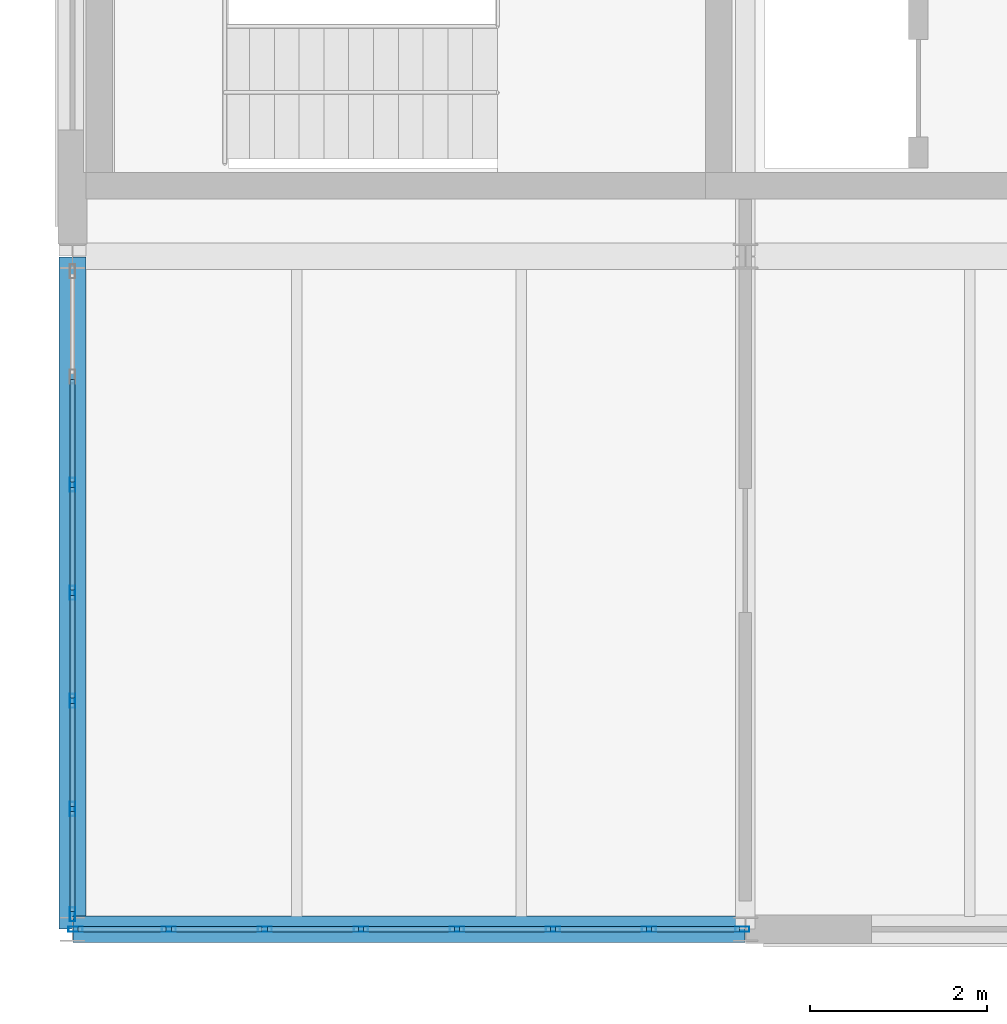
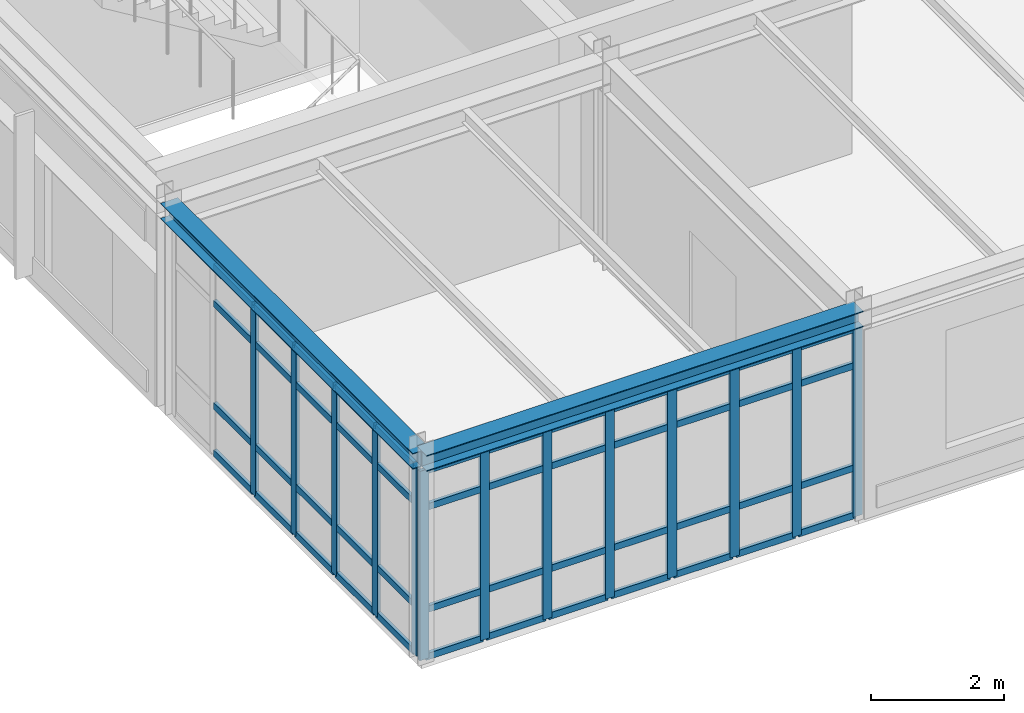
# One storey, part 23 of 165: 61 members, 2 beams, 2 elements without a shape of their own.
"""IFC4 building model written with IfcOpenShell, lengths in metres."""

import ifcopenshell
import ifcopenshell.guid

model = None  # the IFC model being written
_history = None  # IfcOwnerHistory: only IFC2X3 demands one
_inside = {}  # id of a spatial element -> (the spatial element, [elements in it])
_under = {}  # id of a project, library or spatial element -> (it, [spatial elements below it])
_declared = {}  # id of a project -> (the project, [libraries it declares])
_typed = {}  # id of a type object -> (the type object, [elements of that type])
_made_of = {}  # id of a material, layer set ... -> (it, [elements and type objects made of it])


def new_model(schema):
    """Start an empty IFC model of exactly this schema.

    Asked for "IFC4X3", IfcOpenShell would pick the latest addendum, in which some entities
    have other attributes; the version numbers below select the first issue.
    IFC2X3 requires an IfcOwnerHistory on every rooted entity: one is made here for all.
    """
    global model, _history
    if schema == "IFC4X3":
        model = ifcopenshell.file(schema_version=(4, 3, 0, 0))
    else:
        model = ifcopenshell.file(schema=schema)
    _inside.clear()
    _under.clear()
    _declared.clear()
    _typed.clear()
    _made_of.clear()
    _history = None
    if model.schema == "IFC2X3":
        org = make("IfcOrganization", Name="unknown")
        user = make(
            "IfcPersonAndOrganization",
            ThePerson=make("IfcPerson", FamilyName="unknown"),
            TheOrganization=org,
        )
        app = make(
            "IfcApplication",
            ApplicationDeveloper=org,
            Version="unknown",
            ApplicationFullName="unknown",
            ApplicationIdentifier="unknown",
        )
        _history = make(
            "IfcOwnerHistory",
            OwningUser=user,
            OwningApplication=app,
            ChangeAction="ADDED",
            CreationDate=0,
        )
    return model


def make(cls, **values):
    """One entity of the class cls with the attributes given. An attribute that is None is left unset."""
    return model.create_entity(
        cls, **{name: value for name, value in values.items() if value is not None}
    )


def rooted(cls, **values):
    """An entity with a GlobalId (a new one), such as an element, a storey or a relation."""
    return make(cls, GlobalId=ifcopenshell.guid.new(), OwnerHistory=_history, **values)


def si_unit(unit_type, name, prefix=None):
    """IfcSIUnit, for example si_unit("LENGTHUNIT", "METRE", prefix="MILLI")."""
    return make("IfcSIUnit", UnitType=unit_type, Prefix=prefix, Name=name)


def assignment(units):
    """IfcUnitAssignment: the units of a project."""
    return None if units is None else make("IfcUnitAssignment", Units=units)


def point(xyz):
    """IfcCartesianPoint."""
    return None if xyz is None else make("IfcCartesianPoint", Coordinates=xyz)


def direction(xyz):
    """IfcDirection."""
    return None if xyz is None else make("IfcDirection", DirectionRatios=xyz)


def frame(location, z_axis=None, x_axis=None):
    """IfcAxis2Placement3D, a coordinate frame: its origin and axes. An axis left out is left unset."""
    return make(
        "IfcAxis2Placement3D",
        Location=point(location),
        Axis=direction(z_axis),
        RefDirection=direction(x_axis),
    )


def frame_2d(location, x_axis=None):
    """IfcAxis2Placement2D, a coordinate frame in the plane: its origin and x axis."""
    return make(
        "IfcAxis2Placement2D", Location=point(location), RefDirection=direction(x_axis)
    )


def origin():
    """The frame at (0, 0, 0) with its axes left unset."""
    return frame((0.0, 0.0, 0.0))


def origin_2d():
    """The frame at (0, 0) in the plane with its x axis left unset."""
    return frame_2d((0.0, 0.0))


def place(relative_to, where):
    """IfcLocalPlacement: puts the frame where relative to a parent placement (None: the world)."""
    return make(
        "IfcLocalPlacement", PlacementRelTo=relative_to, RelativePlacement=where
    )


def context(
    kind, dimensions, precision=None, world=None, true_north=None, identifier=None
):
    """IfcGeometricRepresentationContext, for example the 3D "Model" context."""
    return make(
        "IfcGeometricRepresentationContext",
        ContextIdentifier=identifier,
        ContextType=kind,
        CoordinateSpaceDimension=dimensions,
        Precision=precision,
        WorldCoordinateSystem=world,
        TrueNorth=true_north,
    )


def subcontext(parent, identifier, kind, view, scale=None):
    """IfcGeometricRepresentationSubContext, for example "Body" below "Model"."""
    return make(
        "IfcGeometricRepresentationSubContext",
        ContextIdentifier=identifier,
        ContextType=kind,
        ParentContext=parent,
        TargetScale=scale,
        TargetView=view,
    )


def project(units=None, contexts=None):
    """IfcProject with its units and contexts."""
    return rooted(
        "IfcProject",
        Name="project",
        RepresentationContexts=contexts,
        UnitsInContext=assignment(units),
    )


def spatial(cls, under=None, at=None, **own):
    """A site, building, storey or space (cls), placed at a placement, below another one or the project."""
    s = rooted(cls, ObjectPlacement=at, **own)
    if under is not None:
        _under.setdefault(under.id(), (under, []))[1].append(s)
    return s


def profile(cls, at=None, kind="AREA", **sizes):
    """A parametric profile (cls). Its sizes go by their IFC names, for example OverallWidth=200.0."""
    return make(cls, ProfileType=kind, Position=at, **sizes)


def hollow_rectangle(**sizes):
    """IfcRectangleHollowProfileDef."""
    return profile("IfcRectangleHollowProfileDef", **sizes)


def i_section(**sizes):
    """IfcIShapeProfileDef."""
    return profile("IfcIShapeProfileDef", **sizes)


def extrude(swept, where, along, depth):
    """IfcExtrudedAreaSolid: the profile swept, set in the frame where, extruded along a direction by depth."""
    return make(
        "IfcExtrudedAreaSolid",
        SweptArea=swept,
        Position=where,
        ExtrudedDirection=direction(along),
        Depth=depth,
    )


def shape(context_of_items, identifier, shape_type, items):
    """IfcShapeRepresentation: the items that make up one representation, for example the "Body"."""
    return make(
        "IfcShapeRepresentation",
        ContextOfItems=context_of_items,
        RepresentationIdentifier=identifier,
        RepresentationType=shape_type,
        Items=items,
    )


def material(Name=None, Category=None):
    """IfcMaterial."""
    return make("IfcMaterial", Name=Name, Category=Category)


def layer(
    of_material, thickness, ventilated=None, Name=None, Category=None, Priority=None
):
    """IfcMaterialLayer: one layer of a wall or slab, of a material (None: an air gap)."""
    return make(
        "IfcMaterialLayer",
        Material=of_material,
        LayerThickness=thickness,
        IsVentilated=ventilated,
        Name=Name,
        Category=Category,
        Priority=Priority,
    )


def layer_set(layers, Name=None):
    """IfcMaterialLayerSet."""
    return make("IfcMaterialLayerSet", MaterialLayers=layers, LayerSetName=Name)


def material_profile(
    of_material, cross_section, Name=None, Category=None, Priority=None
):
    """IfcMaterialProfile: a cross section and its material."""
    return make(
        "IfcMaterialProfile",
        Name=Name,
        Material=of_material,
        Profile=cross_section,
        Priority=Priority,
        Category=Category,
    )


def profile_set(profiles, Name=None, composite=None):
    """IfcMaterialProfileSet."""
    return make(
        "IfcMaterialProfileSet",
        Name=Name,
        MaterialProfiles=profiles,
        CompositeProfile=composite,
    )


def made_of(thing, what):
    """Note that an element or type object is made of a material, layer set ...; save() writes the relation."""
    if what is not None:
        _made_of.setdefault(what.id(), (what, []))[1].append(thing)
    return thing


def type_object(cls, material=None, **own):
    """A type object (cls), such as IfcWallType, which elements share."""
    return made_of(rooted(cls, **own), material)


def element(
    cls,
    number,
    at=None,
    inside=None,
    cuts=None,
    type_object=None,
    material=None,
    context=None,
    identifier="Body",
    shape_type=None,
    held_by="IfcProductDefinitionShape",
    body=None,
    shapes=None,
    **own,
):
    """One element of the class cls, such as IfcWall. Its Tag is "e" and its number.

    at: its placement. inside: the storey or other place that contains it. cuts: it is an
    opening in that element (IfcRelVoidsElement). A single representation is given by context,
    identifier, shape_type and body (its items); several are given by shapes. held_by: the class
    of the entity that holds the representations. save() writes the other relations.
    """
    e = rooted(cls, Tag="e%d" % number, ObjectPlacement=at, **own)
    if body is not None:
        shapes = [shape(context, identifier, shape_type, body)]
    if shapes is not None:
        e.Representation = make(held_by, Representations=shapes)
    if inside is not None:
        _inside.setdefault(inside.id(), (inside, []))[1].append(e)
    if cuts is not None:
        rooted(
            "IfcRelVoidsElement", RelatingBuildingElement=cuts, RelatedOpeningElement=e
        )
    if type_object is not None:
        _typed.setdefault(type_object.id(), (type_object, []))[1].append(e)
    return made_of(e, material)


def aggregate(whole, parts):
    """IfcRelAggregates: a whole, such as a stair, and the parts it consists of."""
    return rooted("IfcRelAggregates", RelatingObject=whole, RelatedObjects=parts)


def save(model, path):
    """Write the relations noted so far, then the file.

    IfcRelAggregates (storeys below a building ...), IfcRelContainedInSpatialStructure (elements
    in a storey), IfcRelDefinesByType, IfcRelAssociatesMaterial and IfcRelDeclares: one each for
    every whole, place, type object, material and project.
    """
    for whole, parts in _under.values():
        aggregate(whole, parts)
    for where, things in _inside.values():
        rooted(
            "IfcRelContainedInSpatialStructure",
            RelatedElements=things,
            RelatingStructure=where,
        )
    for kind, things in _typed.values():
        rooted("IfcRelDefinesByType", RelatedObjects=things, RelatingType=kind)
    for what, things in _made_of.values():
        rooted("IfcRelAssociatesMaterial", RelatedObjects=things, RelatingMaterial=what)
    for by, libraries in _declared.values():
        rooted("IfcRelDeclares", RelatingContext=by, RelatedDefinitions=libraries)
    model.write(path)


model = new_model("IFC4")

# Units and contexts
model_context = context("Model", 3, precision=1e-05, world=origin(), true_north=direction((0.0, 1.0)))
body_context = subcontext(model_context, "Body", "Model", "MODEL_VIEW")
ifc_project = project(units=[si_unit("LENGTHUNIT", "METRE"), si_unit("AREAUNIT", "SQUARE_METRE"), si_unit("VOLUMEUNIT", "CUBIC_METRE"), si_unit("PLANEANGLEUNIT", "RADIAN"), si_unit("MASSUNIT", "GRAM", prefix="KILO")], contexts=[model_context])

# Site, building, storey
site_placement = place(None, origin())
site = spatial("IfcSite", under=ifc_project, at=site_placement, CompositionType="ELEMENT")
building_placement = place(site_placement, origin())
building = spatial("IfcBuilding", under=site, at=building_placement, Name="Montecoro Central Library", CompositionType="ELEMENT")
storey_placement = place(building_placement, frame((0.0, 0.0, 5.10009765625)))
storey = spatial("IfcBuildingStorey", under=building, at=storey_placement, Name="L01", CompositionType="ELEMENT", Elevation=5.10009765625)

# Beams
ifc_material_1 = material(Name="Steel S355", Category="steel")
ifc_material_profile_1 = material_profile(ifc_material_1, i_section(OverallWidth=0.300048828125, OverallDepth=0.2900390625, WebThickness=0.008544921875, FlangeThickness=0.013916015625, at=origin_2d()), Name="HEA 300")
ifc_profile_set_1 = profile_set([ifc_material_profile_1], Name="Steel S355")
beam_type = type_object("IfcBeamType", Name="BM-SP-HEA300", PredefinedType="SPANDREL", material=ifc_profile_set_1)
for number, where, z_axis, x_axis, name in (
    (1, (5.0048828125, 5.0, 3.679931640625), (1.0, 0.0, 0.0), (0.0, 1.0, 0.0), "V3-L01-BX-12-A"),
    (2, (5.0, 5.0048828125, 3.679931640625), (0.0, 1.0, 0.0), (-1.0, 0.0, 0.0), "V3-L01-BY-1-AB"),
):
    element("IfcBeam", number, at=place(storey_placement, frame(where, z_axis=z_axis, x_axis=x_axis)), inside=storey, type_object=beam_type, Name=name, PredefinedType="SPANDREL", context=body_context, shape_type="SweptSolid", body=[
        extrude(i_section(OverallWidth=0.300048828125, OverallDepth=0.2900390625, WebThickness=0.008544921875, FlangeThickness=0.013916015625, at=origin_2d()), origin(), (0.0, 0.0, 1.0), 7.590087890625),
    ])

# Curtain wall, members
ifc_material_2 = material(Name="Bronze-anodised aluminium and low-E glazing", Category="aluminium")
ifc_layer_1 = layer(ifc_material_2, 0.159912109375)
ifc_layer_set_1 = layer_set([ifc_layer_1], Name="Bronze-anodised aluminium and low-E glazing")
curtain_wall_type_1 = type_object("IfcCurtainWallType", Name="CWT-029", PredefinedType="NOTDEFINED", material=ifc_layer_set_1)
curtain_wall_1_placement = place(storey_placement, origin())
curtain_wall_1 = element("IfcCurtainWall", 3, at=curtain_wall_1_placement, inside=storey, type_object=curtain_wall_type_1, Name="V3-L01-CW-S0", PredefinedType="NOTDEFINED")
ifc_material_3 = material(Name="Bronze-anodised aluminium", Category="aluminium")
ifc_material_profile_2 = material_profile(ifc_material_3, hollow_rectangle(XDim=0.06005859375, YDim=0.159912109375, WallThickness=0.00390625, at=origin_2d()), Name="CWM 160x60x4.0")
ifc_profile_set_2 = profile_set([ifc_material_profile_2], Name="Bronze-anodised aluminium")
member_type_1 = type_object("IfcMemberType", Name="CWM-BRZ-60", PredefinedType="MULLION", material=ifc_profile_set_2)
member_1_placement = place(storey_placement, frame((5.033935546875, 5.0, 0.0), z_axis=(0.0, 0.0, 1.0), x_axis=(0.0, 1.0, 0.0)))
member_1 = element("IfcMember", 4, at=member_1_placement, type_object=member_type_1, Name="CW-029 mullion 1", PredefinedType="MULLION", context=body_context, shape_type="SweptSolid", body=[
    extrude(hollow_rectangle(XDim=0.06005859375, YDim=0.159912109375, WallThickness=0.00390625, at=origin_2d()), origin(), (0.0, 0.0, 1.0), 3.47998046875),
])
member_2_placement = place(storey_placement, frame((6.088623046875, 5.0, 0.0), z_axis=(0.0, 0.0, 1.0), x_axis=(0.0, 1.0, 0.0)))
member_2 = element("IfcMember", 5, at=member_2_placement, type_object=member_type_1, Name="CW-029 mullion 2", PredefinedType="MULLION", context=body_context, shape_type="SweptSolid", body=[
    extrude(hollow_rectangle(XDim=0.06005859375, YDim=0.159912109375, WallThickness=0.00390625, at=origin_2d()), origin(), (0.0, 0.0, 1.0), 3.47998046875),
])
member_3_placement = place(storey_placement, frame((7.173095703125, 5.0, 0.0), z_axis=(0.0, 0.0, 1.0), x_axis=(0.0, 1.0, 0.0)))
member_3 = element("IfcMember", 6, at=member_3_placement, type_object=member_type_1, Name="CW-029 mullion 3", PredefinedType="MULLION", context=body_context, shape_type="SweptSolid", body=[
    extrude(hollow_rectangle(XDim=0.06005859375, YDim=0.159912109375, WallThickness=0.00390625, at=origin_2d()), origin(), (0.0, 0.0, 1.0), 3.47998046875),
])
member_4_placement = place(storey_placement, frame((8.2578125, 5.0, 0.0), z_axis=(0.0, 0.0, 1.0), x_axis=(0.0, 1.0, 0.0)))
member_4 = element("IfcMember", 7, at=member_4_placement, type_object=member_type_1, Name="CW-029 mullion 4", PredefinedType="MULLION", context=body_context, shape_type="SweptSolid", body=[
    extrude(hollow_rectangle(XDim=0.06005859375, YDim=0.159912109375, WallThickness=0.00390625, at=origin_2d()), origin(), (0.0, 0.0, 1.0), 3.47998046875),
])
member_5_placement = place(storey_placement, frame((9.34228515625, 5.0, 0.0), z_axis=(0.0, 0.0, 1.0), x_axis=(0.0, 1.0, 0.0)))
member_5 = element("IfcMember", 8, at=member_5_placement, type_object=member_type_1, Name="CW-029 mullion 5", PredefinedType="MULLION", context=body_context, shape_type="SweptSolid", body=[
    extrude(hollow_rectangle(XDim=0.06005859375, YDim=0.159912109375, WallThickness=0.00390625, at=origin_2d()), origin(), (0.0, 0.0, 1.0), 3.47998046875),
])
member_6_placement = place(storey_placement, frame((10.4267578125, 5.0, 0.0), z_axis=(0.0, 0.0, 1.0), x_axis=(0.0, 1.0, 0.0)))
member_6 = element("IfcMember", 9, at=member_6_placement, type_object=member_type_1, Name="CW-029 mullion 6", PredefinedType="MULLION", context=body_context, shape_type="SweptSolid", body=[
    extrude(hollow_rectangle(XDim=0.06005859375, YDim=0.159912109375, WallThickness=0.00390625, at=origin_2d()), origin(), (0.0, 0.0, 1.0), 3.47998046875),
])
member_7_placement = place(storey_placement, frame((11.511474609375, 5.0, 0.0), z_axis=(0.0, 0.0, 1.0), x_axis=(0.0, 1.0, 0.0)))
member_7 = element("IfcMember", 10, at=member_7_placement, type_object=member_type_1, Name="CW-029 mullion 7", PredefinedType="MULLION", context=body_context, shape_type="SweptSolid", body=[
    extrude(hollow_rectangle(XDim=0.06005859375, YDim=0.159912109375, WallThickness=0.00390625, at=origin_2d()), origin(), (0.0, 0.0, 1.0), 3.47998046875),
])
member_8_placement = place(storey_placement, frame((12.56591796875, 5.0, 0.0), z_axis=(0.0, 0.0, 1.0), x_axis=(0.0, 1.0, 0.0)))
member_8 = element("IfcMember", 11, at=member_8_placement, type_object=member_type_1, Name="CW-029 mullion 8", PredefinedType="MULLION", context=body_context, shape_type="SweptSolid", body=[
    extrude(hollow_rectangle(XDim=0.06005859375, YDim=0.159912109375, WallThickness=0.00390625, at=origin_2d()), origin(), (0.0, 0.0, 1.0), 3.47998046875),
])

ifc_layer_2 = layer(ifc_material_2, 0.159912109375)
ifc_layer_set_2 = layer_set([ifc_layer_2], Name="Bronze-anodised aluminium and low-E glazing")
curtain_wall_type_2 = type_object("IfcCurtainWallType", Name="CWT-032", PredefinedType="NOTDEFINED", material=ifc_layer_set_2)
curtain_wall_2_placement = place(storey_placement, origin())
curtain_wall_2 = element("IfcCurtainWall", 12, at=curtain_wall_2_placement, inside=storey, type_object=curtain_wall_type_2, Name="V3-L01-CW-W0", PredefinedType="NOTDEFINED")
member_9_placement = place(storey_placement, frame((5.0, 10.020751953125, 0.0), z_axis=(0.0, 0.0, 1.0), x_axis=(1.0, 0.0, 0.0)))
member_9 = element("IfcMember", 13, at=member_9_placement, type_object=member_type_1, Name="CW-032 mullion 3", PredefinedType="MULLION", context=body_context, shape_type="SweptSolid", body=[
    extrude(hollow_rectangle(XDim=0.06005859375, YDim=0.159912109375, WallThickness=0.00390625, at=origin_2d()), origin(), (0.0, 0.0, 1.0), 3.47998046875),
])
member_10_placement = place(storey_placement, frame((5.0, 8.800048828125, 0.0), z_axis=(0.0, 0.0, 1.0), x_axis=(1.0, 0.0, 0.0)))
member_10 = element("IfcMember", 14, at=member_10_placement, type_object=member_type_1, Name="CW-032 mullion 4", PredefinedType="MULLION", context=body_context, shape_type="SweptSolid", body=[
    extrude(hollow_rectangle(XDim=0.06005859375, YDim=0.159912109375, WallThickness=0.00390625, at=origin_2d()), origin(), (0.0, 0.0, 1.0), 3.47998046875),
])
member_11_placement = place(storey_placement, frame((5.0, 7.579345703125, 0.0), z_axis=(0.0, 0.0, 1.0), x_axis=(1.0, 0.0, 0.0)))
member_11 = element("IfcMember", 15, at=member_11_placement, type_object=member_type_1, Name="CW-032 mullion 5", PredefinedType="MULLION", context=body_context, shape_type="SweptSolid", body=[
    extrude(hollow_rectangle(XDim=0.06005859375, YDim=0.159912109375, WallThickness=0.00390625, at=origin_2d()), origin(), (0.0, 0.0, 1.0), 3.47998046875),
])
member_12_placement = place(storey_placement, frame((5.0, 6.358642578125, 0.0), z_axis=(0.0, 0.0, 1.0), x_axis=(1.0, 0.0, 0.0)))
member_12 = element("IfcMember", 16, at=member_12_placement, type_object=member_type_1, Name="CW-032 mullion 6", PredefinedType="MULLION", context=body_context, shape_type="SweptSolid", body=[
    extrude(hollow_rectangle(XDim=0.06005859375, YDim=0.159912109375, WallThickness=0.00390625, at=origin_2d()), origin(), (0.0, 0.0, 1.0), 3.47998046875),
])
member_13_placement = place(storey_placement, frame((5.0, 5.16796875, 0.0), z_axis=(0.0, 0.0, 1.0), x_axis=(1.0, 0.0, 0.0)))
member_13 = element("IfcMember", 17, at=member_13_placement, type_object=member_type_1, Name="CW-032 mullion 7", PredefinedType="MULLION", context=body_context, shape_type="SweptSolid", body=[
    extrude(hollow_rectangle(XDim=0.06005859375, YDim=0.159912109375, WallThickness=0.00390625, at=origin_2d()), origin(), (0.0, 0.0, 1.0), 3.47998046875),
])

# Member
ifc_material_profile_3 = material_profile(ifc_material_3, hollow_rectangle(XDim=0.06005859375, YDim=0.1201171875, WallThickness=0.00390625, at=origin_2d()), Name="CWT 120x60x4.0")
ifc_profile_set_3 = profile_set([ifc_material_profile_3], Name="Bronze-anodised aluminium")
member_type_2 = type_object("IfcMemberType", Name="CWT-BRZ-60", PredefinedType="USERDEFINED", material=ifc_profile_set_3)
member_14_placement = place(storey_placement, frame((5.06396484375, 5.0, 0.02978515625), z_axis=(1.0, 0.0, 0.0), x_axis=(0.0, 1.0, 0.0)))
member_14 = element("IfcMember", 18, at=member_14_placement, type_object=member_type_2, Name="CW-029 transom 1.1", ObjectType="TRANSOM", PredefinedType="USERDEFINED", context=body_context, shape_type="SweptSolid", body=[
    extrude(hollow_rectangle(XDim=0.06005859375, YDim=0.1201171875, WallThickness=0.00390625, at=origin_2d()), origin(), (0.0, 0.0, 1.0), 0.99462890625),
])

member_15_placement = place(storey_placement, frame((5.06396484375, 5.0, 0.89990234375), z_axis=(1.0, 0.0, 0.0), x_axis=(0.0, 1.0, 0.0)))
member_15 = element("IfcMember", 19, at=member_15_placement, type_object=member_type_2, Name="CW-029 transom 1.2", ObjectType="TRANSOM", PredefinedType="USERDEFINED", context=body_context, shape_type="SweptSolid", body=[
    extrude(hollow_rectangle(XDim=0.06005859375, YDim=0.1201171875, WallThickness=0.00390625, at=origin_2d()), origin(), (0.0, 0.0, 1.0), 0.99462890625),
])

member_16_placement = place(storey_placement, frame((5.06396484375, 5.0, 2.77978515625), z_axis=(1.0, 0.0, 0.0), x_axis=(0.0, 1.0, 0.0)))
member_16 = element("IfcMember", 20, at=member_16_placement, type_object=member_type_2, Name="CW-029 transom 1.3", ObjectType="TRANSOM", PredefinedType="USERDEFINED", context=body_context, shape_type="SweptSolid", body=[
    extrude(hollow_rectangle(XDim=0.06005859375, YDim=0.1201171875, WallThickness=0.00390625, at=origin_2d()), origin(), (0.0, 0.0, 1.0), 0.99462890625),
])

member_17_placement = place(storey_placement, frame((5.06396484375, 5.0, 3.449951171875), z_axis=(1.0, 0.0, 0.0), x_axis=(0.0, 1.0, 0.0)))
member_17 = element("IfcMember", 21, at=member_17_placement, type_object=member_type_2, Name="CW-029 transom 1.4", ObjectType="TRANSOM", PredefinedType="USERDEFINED", context=body_context, shape_type="SweptSolid", body=[
    extrude(hollow_rectangle(XDim=0.06005859375, YDim=0.1201171875, WallThickness=0.00390625, at=origin_2d()), origin(), (0.0, 0.0, 1.0), 0.99462890625),
])

member_18_placement = place(storey_placement, frame((6.11865234375, 5.0, 0.02978515625), z_axis=(1.0, 0.0, 0.0), x_axis=(0.0, 1.0, 0.0)))
member_18 = element("IfcMember", 22, at=member_18_placement, type_object=member_type_2, Name="CW-029 transom 2.1", ObjectType="TRANSOM", PredefinedType="USERDEFINED", context=body_context, shape_type="SweptSolid", body=[
    extrude(hollow_rectangle(XDim=0.06005859375, YDim=0.1201171875, WallThickness=0.00390625, at=origin_2d()), origin(), (0.0, 0.0, 1.0), 1.0244140625),
])

member_19_placement = place(storey_placement, frame((6.11865234375, 5.0, 0.89990234375), z_axis=(1.0, 0.0, 0.0), x_axis=(0.0, 1.0, 0.0)))
member_19 = element("IfcMember", 23, at=member_19_placement, type_object=member_type_2, Name="CW-029 transom 2.2", ObjectType="TRANSOM", PredefinedType="USERDEFINED", context=body_context, shape_type="SweptSolid", body=[
    extrude(hollow_rectangle(XDim=0.06005859375, YDim=0.1201171875, WallThickness=0.00390625, at=origin_2d()), origin(), (0.0, 0.0, 1.0), 1.0244140625),
])

member_20_placement = place(storey_placement, frame((6.11865234375, 5.0, 2.77978515625), z_axis=(1.0, 0.0, 0.0), x_axis=(0.0, 1.0, 0.0)))
member_20 = element("IfcMember", 24, at=member_20_placement, type_object=member_type_2, Name="CW-029 transom 2.3", ObjectType="TRANSOM", PredefinedType="USERDEFINED", context=body_context, shape_type="SweptSolid", body=[
    extrude(hollow_rectangle(XDim=0.06005859375, YDim=0.1201171875, WallThickness=0.00390625, at=origin_2d()), origin(), (0.0, 0.0, 1.0), 1.0244140625),
])

member_21_placement = place(storey_placement, frame((6.11865234375, 5.0, 3.449951171875), z_axis=(1.0, 0.0, 0.0), x_axis=(0.0, 1.0, 0.0)))
member_21 = element("IfcMember", 25, at=member_21_placement, type_object=member_type_2, Name="CW-029 transom 2.4", ObjectType="TRANSOM", PredefinedType="USERDEFINED", context=body_context, shape_type="SweptSolid", body=[
    extrude(hollow_rectangle(XDim=0.06005859375, YDim=0.1201171875, WallThickness=0.00390625, at=origin_2d()), origin(), (0.0, 0.0, 1.0), 1.0244140625),
])

member_22_placement = place(storey_placement, frame((7.203125, 5.0, 0.02978515625), z_axis=(1.0, 0.0, 0.0), x_axis=(0.0, 1.0, 0.0)))
member_22 = element("IfcMember", 26, at=member_22_placement, type_object=member_type_2, Name="CW-029 transom 3.1", ObjectType="TRANSOM", PredefinedType="USERDEFINED", context=body_context, shape_type="SweptSolid", body=[
    extrude(hollow_rectangle(XDim=0.06005859375, YDim=0.1201171875, WallThickness=0.00390625, at=origin_2d()), origin(), (0.0, 0.0, 1.0), 1.024658203125),
])

member_23_placement = place(storey_placement, frame((7.203125, 5.0, 0.89990234375), z_axis=(1.0, 0.0, 0.0), x_axis=(0.0, 1.0, 0.0)))
member_23 = element("IfcMember", 27, at=member_23_placement, type_object=member_type_2, Name="CW-029 transom 3.2", ObjectType="TRANSOM", PredefinedType="USERDEFINED", context=body_context, shape_type="SweptSolid", body=[
    extrude(hollow_rectangle(XDim=0.06005859375, YDim=0.1201171875, WallThickness=0.00390625, at=origin_2d()), origin(), (0.0, 0.0, 1.0), 1.024658203125),
])

member_24_placement = place(storey_placement, frame((7.203125, 5.0, 2.77978515625), z_axis=(1.0, 0.0, 0.0), x_axis=(0.0, 1.0, 0.0)))
member_24 = element("IfcMember", 28, at=member_24_placement, type_object=member_type_2, Name="CW-029 transom 3.3", ObjectType="TRANSOM", PredefinedType="USERDEFINED", context=body_context, shape_type="SweptSolid", body=[
    extrude(hollow_rectangle(XDim=0.06005859375, YDim=0.1201171875, WallThickness=0.00390625, at=origin_2d()), origin(), (0.0, 0.0, 1.0), 1.024658203125),
])

member_25_placement = place(storey_placement, frame((7.203125, 5.0, 3.449951171875), z_axis=(1.0, 0.0, 0.0), x_axis=(0.0, 1.0, 0.0)))
member_25 = element("IfcMember", 29, at=member_25_placement, type_object=member_type_2, Name="CW-029 transom 3.4", ObjectType="TRANSOM", PredefinedType="USERDEFINED", context=body_context, shape_type="SweptSolid", body=[
    extrude(hollow_rectangle(XDim=0.06005859375, YDim=0.1201171875, WallThickness=0.00390625, at=origin_2d()), origin(), (0.0, 0.0, 1.0), 1.024658203125),
])

member_26_placement = place(storey_placement, frame((8.28759765625, 5.0, 0.02978515625), z_axis=(1.0, 0.0, 0.0), x_axis=(0.0, 1.0, 0.0)))
member_26 = element("IfcMember", 30, at=member_26_placement, type_object=member_type_2, Name="CW-029 transom 4.1", ObjectType="TRANSOM", PredefinedType="USERDEFINED", context=body_context, shape_type="SweptSolid", body=[
    extrude(hollow_rectangle(XDim=0.06005859375, YDim=0.1201171875, WallThickness=0.00390625, at=origin_2d()), origin(), (0.0, 0.0, 1.0), 1.024658203125),
])

member_27_placement = place(storey_placement, frame((8.28759765625, 5.0, 0.89990234375), z_axis=(1.0, 0.0, 0.0), x_axis=(0.0, 1.0, 0.0)))
member_27 = element("IfcMember", 31, at=member_27_placement, type_object=member_type_2, Name="CW-029 transom 4.2", ObjectType="TRANSOM", PredefinedType="USERDEFINED", context=body_context, shape_type="SweptSolid", body=[
    extrude(hollow_rectangle(XDim=0.06005859375, YDim=0.1201171875, WallThickness=0.00390625, at=origin_2d()), origin(), (0.0, 0.0, 1.0), 1.024658203125),
])

member_28_placement = place(storey_placement, frame((8.28759765625, 5.0, 2.77978515625), z_axis=(1.0, 0.0, 0.0), x_axis=(0.0, 1.0, 0.0)))
member_28 = element("IfcMember", 32, at=member_28_placement, type_object=member_type_2, Name="CW-029 transom 4.3", ObjectType="TRANSOM", PredefinedType="USERDEFINED", context=body_context, shape_type="SweptSolid", body=[
    extrude(hollow_rectangle(XDim=0.06005859375, YDim=0.1201171875, WallThickness=0.00390625, at=origin_2d()), origin(), (0.0, 0.0, 1.0), 1.024658203125),
])

member_29_placement = place(storey_placement, frame((8.28759765625, 5.0, 3.449951171875), z_axis=(1.0, 0.0, 0.0), x_axis=(0.0, 1.0, 0.0)))
member_29 = element("IfcMember", 33, at=member_29_placement, type_object=member_type_2, Name="CW-029 transom 4.4", ObjectType="TRANSOM", PredefinedType="USERDEFINED", context=body_context, shape_type="SweptSolid", body=[
    extrude(hollow_rectangle(XDim=0.06005859375, YDim=0.1201171875, WallThickness=0.00390625, at=origin_2d()), origin(), (0.0, 0.0, 1.0), 1.024658203125),
])

member_30_placement = place(storey_placement, frame((9.372314453125, 5.0, 0.02978515625), z_axis=(1.0, 0.0, 0.0), x_axis=(0.0, 1.0, 0.0)))
member_30 = element("IfcMember", 34, at=member_30_placement, type_object=member_type_2, Name="CW-029 transom 5.1", ObjectType="TRANSOM", PredefinedType="USERDEFINED", context=body_context, shape_type="SweptSolid", body=[
    extrude(hollow_rectangle(XDim=0.06005859375, YDim=0.1201171875, WallThickness=0.00390625, at=origin_2d()), origin(), (0.0, 0.0, 1.0), 1.024658203125),
])

member_31_placement = place(storey_placement, frame((9.372314453125, 5.0, 0.89990234375), z_axis=(1.0, 0.0, 0.0), x_axis=(0.0, 1.0, 0.0)))
member_31 = element("IfcMember", 35, at=member_31_placement, type_object=member_type_2, Name="CW-029 transom 5.2", ObjectType="TRANSOM", PredefinedType="USERDEFINED", context=body_context, shape_type="SweptSolid", body=[
    extrude(hollow_rectangle(XDim=0.06005859375, YDim=0.1201171875, WallThickness=0.00390625, at=origin_2d()), origin(), (0.0, 0.0, 1.0), 1.024658203125),
])

member_32_placement = place(storey_placement, frame((9.372314453125, 5.0, 2.77978515625), z_axis=(1.0, 0.0, 0.0), x_axis=(0.0, 1.0, 0.0)))
member_32 = element("IfcMember", 36, at=member_32_placement, type_object=member_type_2, Name="CW-029 transom 5.3", ObjectType="TRANSOM", PredefinedType="USERDEFINED", context=body_context, shape_type="SweptSolid", body=[
    extrude(hollow_rectangle(XDim=0.06005859375, YDim=0.1201171875, WallThickness=0.00390625, at=origin_2d()), origin(), (0.0, 0.0, 1.0), 1.024658203125),
])

member_33_placement = place(storey_placement, frame((9.372314453125, 5.0, 3.449951171875), z_axis=(1.0, 0.0, 0.0), x_axis=(0.0, 1.0, 0.0)))
member_33 = element("IfcMember", 37, at=member_33_placement, type_object=member_type_2, Name="CW-029 transom 5.4", ObjectType="TRANSOM", PredefinedType="USERDEFINED", context=body_context, shape_type="SweptSolid", body=[
    extrude(hollow_rectangle(XDim=0.06005859375, YDim=0.1201171875, WallThickness=0.00390625, at=origin_2d()), origin(), (0.0, 0.0, 1.0), 1.024658203125),
])

member_34_placement = place(storey_placement, frame((10.456787109375, 5.0, 0.02978515625), z_axis=(1.0, 0.0, 0.0), x_axis=(0.0, 1.0, 0.0)))
member_34 = element("IfcMember", 38, at=member_34_placement, type_object=member_type_2, Name="CW-029 transom 6.1", ObjectType="TRANSOM", PredefinedType="USERDEFINED", context=body_context, shape_type="SweptSolid", body=[
    extrude(hollow_rectangle(XDim=0.06005859375, YDim=0.1201171875, WallThickness=0.00390625, at=origin_2d()), origin(), (0.0, 0.0, 1.0), 1.024658203125),
])

member_35_placement = place(storey_placement, frame((10.456787109375, 5.0, 0.89990234375), z_axis=(1.0, 0.0, 0.0), x_axis=(0.0, 1.0, 0.0)))
member_35 = element("IfcMember", 39, at=member_35_placement, type_object=member_type_2, Name="CW-029 transom 6.2", ObjectType="TRANSOM", PredefinedType="USERDEFINED", context=body_context, shape_type="SweptSolid", body=[
    extrude(hollow_rectangle(XDim=0.06005859375, YDim=0.1201171875, WallThickness=0.00390625, at=origin_2d()), origin(), (0.0, 0.0, 1.0), 1.024658203125),
])

member_36_placement = place(storey_placement, frame((10.456787109375, 5.0, 2.77978515625), z_axis=(1.0, 0.0, 0.0), x_axis=(0.0, 1.0, 0.0)))
member_36 = element("IfcMember", 40, at=member_36_placement, type_object=member_type_2, Name="CW-029 transom 6.3", ObjectType="TRANSOM", PredefinedType="USERDEFINED", context=body_context, shape_type="SweptSolid", body=[
    extrude(hollow_rectangle(XDim=0.06005859375, YDim=0.1201171875, WallThickness=0.00390625, at=origin_2d()), origin(), (0.0, 0.0, 1.0), 1.024658203125),
])

member_37_placement = place(storey_placement, frame((10.456787109375, 5.0, 3.449951171875), z_axis=(1.0, 0.0, 0.0), x_axis=(0.0, 1.0, 0.0)))
member_37 = element("IfcMember", 41, at=member_37_placement, type_object=member_type_2, Name="CW-029 transom 6.4", ObjectType="TRANSOM", PredefinedType="USERDEFINED", context=body_context, shape_type="SweptSolid", body=[
    extrude(hollow_rectangle(XDim=0.06005859375, YDim=0.1201171875, WallThickness=0.00390625, at=origin_2d()), origin(), (0.0, 0.0, 1.0), 1.024658203125),
])

member_38_placement = place(storey_placement, frame((11.54150390625, 5.0, 0.02978515625), z_axis=(1.0, 0.0, 0.0), x_axis=(0.0, 1.0, 0.0)))
member_38 = element("IfcMember", 42, at=member_38_placement, type_object=member_type_2, Name="CW-029 transom 7.1", ObjectType="TRANSOM", PredefinedType="USERDEFINED", context=body_context, shape_type="SweptSolid", body=[
    extrude(hollow_rectangle(XDim=0.06005859375, YDim=0.1201171875, WallThickness=0.00390625, at=origin_2d()), origin(), (0.0, 0.0, 1.0), 0.994384765625),
])

member_39_placement = place(storey_placement, frame((11.54150390625, 5.0, 0.89990234375), z_axis=(1.0, 0.0, 0.0), x_axis=(0.0, 1.0, 0.0)))
member_39 = element("IfcMember", 43, at=member_39_placement, type_object=member_type_2, Name="CW-029 transom 7.2", ObjectType="TRANSOM", PredefinedType="USERDEFINED", context=body_context, shape_type="SweptSolid", body=[
    extrude(hollow_rectangle(XDim=0.06005859375, YDim=0.1201171875, WallThickness=0.00390625, at=origin_2d()), origin(), (0.0, 0.0, 1.0), 0.994384765625),
])

member_40_placement = place(storey_placement, frame((11.54150390625, 5.0, 2.77978515625), z_axis=(1.0, 0.0, 0.0), x_axis=(0.0, 1.0, 0.0)))
member_40 = element("IfcMember", 44, at=member_40_placement, type_object=member_type_2, Name="CW-029 transom 7.3", ObjectType="TRANSOM", PredefinedType="USERDEFINED", context=body_context, shape_type="SweptSolid", body=[
    extrude(hollow_rectangle(XDim=0.06005859375, YDim=0.1201171875, WallThickness=0.00390625, at=origin_2d()), origin(), (0.0, 0.0, 1.0), 0.994384765625),
])

member_41_placement = place(storey_placement, frame((11.54150390625, 5.0, 3.449951171875), z_axis=(1.0, 0.0, 0.0), x_axis=(0.0, 1.0, 0.0)))
member_41 = element("IfcMember", 45, at=member_41_placement, type_object=member_type_2, Name="CW-029 transom 7.4", ObjectType="TRANSOM", PredefinedType="USERDEFINED", context=body_context, shape_type="SweptSolid", body=[
    extrude(hollow_rectangle(XDim=0.06005859375, YDim=0.1201171875, WallThickness=0.00390625, at=origin_2d()), origin(), (0.0, 0.0, 1.0), 0.994384765625),
])

aggregate(curtain_wall_1, [member_1, member_2, member_3, member_4, member_5, member_6, member_7, member_8, member_14, member_15, member_16, member_17, member_18, member_19, member_20, member_21, member_22, member_23, member_24, member_25, member_26, member_27, member_28, member_29, member_30, member_31, member_32, member_33, member_34, member_35, member_36, member_37, member_38, member_39, member_40, member_41])

member_42_placement = place(storey_placement, frame((5.0, 11.21142578125, 0.02978515625), z_axis=(0.0, -1.0, 0.0), x_axis=(1.0, 0.0, 0.0)))
member_42 = element("IfcMember", 46, at=member_42_placement, type_object=member_type_2, Name="CW-032 transom 2.1", ObjectType="TRANSOM", PredefinedType="USERDEFINED", context=body_context, shape_type="SweptSolid", body=[
    extrude(hollow_rectangle(XDim=0.06005859375, YDim=0.1201171875, WallThickness=0.00390625, at=origin_2d()), origin(), (0.0, 0.0, 1.0), 1.16064453125),
])

member_43_placement = place(storey_placement, frame((5.0, 11.21142578125, 0.89990234375), z_axis=(0.0, -1.0, 0.0), x_axis=(1.0, 0.0, 0.0)))
member_43 = element("IfcMember", 47, at=member_43_placement, type_object=member_type_2, Name="CW-032 transom 2.2", ObjectType="TRANSOM", PredefinedType="USERDEFINED", context=body_context, shape_type="SweptSolid", body=[
    extrude(hollow_rectangle(XDim=0.06005859375, YDim=0.1201171875, WallThickness=0.00390625, at=origin_2d()), origin(), (0.0, 0.0, 1.0), 1.16064453125),
])

member_44_placement = place(storey_placement, frame((5.0, 11.21142578125, 2.77978515625), z_axis=(0.0, -1.0, 0.0), x_axis=(1.0, 0.0, 0.0)))
member_44 = element("IfcMember", 48, at=member_44_placement, type_object=member_type_2, Name="CW-032 transom 2.3", ObjectType="TRANSOM", PredefinedType="USERDEFINED", context=body_context, shape_type="SweptSolid", body=[
    extrude(hollow_rectangle(XDim=0.06005859375, YDim=0.1201171875, WallThickness=0.00390625, at=origin_2d()), origin(), (0.0, 0.0, 1.0), 1.16064453125),
])

member_45_placement = place(storey_placement, frame((5.0, 11.21142578125, 3.449951171875), z_axis=(0.0, -1.0, 0.0), x_axis=(1.0, 0.0, 0.0)))
member_45 = element("IfcMember", 49, at=member_45_placement, type_object=member_type_2, Name="CW-032 transom 2.4", ObjectType="TRANSOM", PredefinedType="USERDEFINED", context=body_context, shape_type="SweptSolid", body=[
    extrude(hollow_rectangle(XDim=0.06005859375, YDim=0.1201171875, WallThickness=0.00390625, at=origin_2d()), origin(), (0.0, 0.0, 1.0), 1.16064453125),
])

member_46_placement = place(storey_placement, frame((5.0, 9.99072265625, 0.02978515625), z_axis=(0.0, -1.0, 0.0), x_axis=(1.0, 0.0, 0.0)))
member_46 = element("IfcMember", 50, at=member_46_placement, type_object=member_type_2, Name="CW-032 transom 3.1", ObjectType="TRANSOM", PredefinedType="USERDEFINED", context=body_context, shape_type="SweptSolid", body=[
    extrude(hollow_rectangle(XDim=0.06005859375, YDim=0.1201171875, WallThickness=0.00390625, at=origin_2d()), origin(), (0.0, 0.0, 1.0), 1.16064453125),
])

member_47_placement = place(storey_placement, frame((5.0, 9.99072265625, 0.89990234375), z_axis=(0.0, -1.0, 0.0), x_axis=(1.0, 0.0, 0.0)))
member_47 = element("IfcMember", 51, at=member_47_placement, type_object=member_type_2, Name="CW-032 transom 3.2", ObjectType="TRANSOM", PredefinedType="USERDEFINED", context=body_context, shape_type="SweptSolid", body=[
    extrude(hollow_rectangle(XDim=0.06005859375, YDim=0.1201171875, WallThickness=0.00390625, at=origin_2d()), origin(), (0.0, 0.0, 1.0), 1.16064453125),
])

member_48_placement = place(storey_placement, frame((5.0, 9.99072265625, 2.77978515625), z_axis=(0.0, -1.0, 0.0), x_axis=(1.0, 0.0, 0.0)))
member_48 = element("IfcMember", 52, at=member_48_placement, type_object=member_type_2, Name="CW-032 transom 3.3", ObjectType="TRANSOM", PredefinedType="USERDEFINED", context=body_context, shape_type="SweptSolid", body=[
    extrude(hollow_rectangle(XDim=0.06005859375, YDim=0.1201171875, WallThickness=0.00390625, at=origin_2d()), origin(), (0.0, 0.0, 1.0), 1.16064453125),
])

member_49_placement = place(storey_placement, frame((5.0, 9.99072265625, 3.449951171875), z_axis=(0.0, -1.0, 0.0), x_axis=(1.0, 0.0, 0.0)))
member_49 = element("IfcMember", 53, at=member_49_placement, type_object=member_type_2, Name="CW-032 transom 3.4", ObjectType="TRANSOM", PredefinedType="USERDEFINED", context=body_context, shape_type="SweptSolid", body=[
    extrude(hollow_rectangle(XDim=0.06005859375, YDim=0.1201171875, WallThickness=0.00390625, at=origin_2d()), origin(), (0.0, 0.0, 1.0), 1.16064453125),
])

member_50_placement = place(storey_placement, frame((5.0, 8.77001953125, 0.02978515625), z_axis=(0.0, -1.0, 0.0), x_axis=(1.0, 0.0, 0.0)))
member_50 = element("IfcMember", 54, at=member_50_placement, type_object=member_type_2, Name="CW-032 transom 4.1", ObjectType="TRANSOM", PredefinedType="USERDEFINED", context=body_context, shape_type="SweptSolid", body=[
    extrude(hollow_rectangle(XDim=0.06005859375, YDim=0.1201171875, WallThickness=0.00390625, at=origin_2d()), origin(), (0.0, 0.0, 1.0), 1.16064453125),
])

member_51_placement = place(storey_placement, frame((5.0, 8.77001953125, 0.89990234375), z_axis=(0.0, -1.0, 0.0), x_axis=(1.0, 0.0, 0.0)))
member_51 = element("IfcMember", 55, at=member_51_placement, type_object=member_type_2, Name="CW-032 transom 4.2", ObjectType="TRANSOM", PredefinedType="USERDEFINED", context=body_context, shape_type="SweptSolid", body=[
    extrude(hollow_rectangle(XDim=0.06005859375, YDim=0.1201171875, WallThickness=0.00390625, at=origin_2d()), origin(), (0.0, 0.0, 1.0), 1.16064453125),
])

member_52_placement = place(storey_placement, frame((5.0, 8.77001953125, 2.77978515625), z_axis=(0.0, -1.0, 0.0), x_axis=(1.0, 0.0, 0.0)))
member_52 = element("IfcMember", 56, at=member_52_placement, type_object=member_type_2, Name="CW-032 transom 4.3", ObjectType="TRANSOM", PredefinedType="USERDEFINED", context=body_context, shape_type="SweptSolid", body=[
    extrude(hollow_rectangle(XDim=0.06005859375, YDim=0.1201171875, WallThickness=0.00390625, at=origin_2d()), origin(), (0.0, 0.0, 1.0), 1.16064453125),
])

member_53_placement = place(storey_placement, frame((5.0, 8.77001953125, 3.449951171875), z_axis=(0.0, -1.0, 0.0), x_axis=(1.0, 0.0, 0.0)))
member_53 = element("IfcMember", 57, at=member_53_placement, type_object=member_type_2, Name="CW-032 transom 4.4", ObjectType="TRANSOM", PredefinedType="USERDEFINED", context=body_context, shape_type="SweptSolid", body=[
    extrude(hollow_rectangle(XDim=0.06005859375, YDim=0.1201171875, WallThickness=0.00390625, at=origin_2d()), origin(), (0.0, 0.0, 1.0), 1.16064453125),
])

member_54_placement = place(storey_placement, frame((5.0, 7.54931640625, 0.02978515625), z_axis=(0.0, -1.0, 0.0), x_axis=(1.0, 0.0, 0.0)))
member_54 = element("IfcMember", 58, at=member_54_placement, type_object=member_type_2, Name="CW-032 transom 5.1", ObjectType="TRANSOM", PredefinedType="USERDEFINED", context=body_context, shape_type="SweptSolid", body=[
    extrude(hollow_rectangle(XDim=0.06005859375, YDim=0.1201171875, WallThickness=0.00390625, at=origin_2d()), origin(), (0.0, 0.0, 1.0), 1.16064453125),
])

member_55_placement = place(storey_placement, frame((5.0, 7.54931640625, 0.89990234375), z_axis=(0.0, -1.0, 0.0), x_axis=(1.0, 0.0, 0.0)))
member_55 = element("IfcMember", 59, at=member_55_placement, type_object=member_type_2, Name="CW-032 transom 5.2", ObjectType="TRANSOM", PredefinedType="USERDEFINED", context=body_context, shape_type="SweptSolid", body=[
    extrude(hollow_rectangle(XDim=0.06005859375, YDim=0.1201171875, WallThickness=0.00390625, at=origin_2d()), origin(), (0.0, 0.0, 1.0), 1.16064453125),
])

member_56_placement = place(storey_placement, frame((5.0, 7.54931640625, 2.77978515625), z_axis=(0.0, -1.0, 0.0), x_axis=(1.0, 0.0, 0.0)))
member_56 = element("IfcMember", 60, at=member_56_placement, type_object=member_type_2, Name="CW-032 transom 5.3", ObjectType="TRANSOM", PredefinedType="USERDEFINED", context=body_context, shape_type="SweptSolid", body=[
    extrude(hollow_rectangle(XDim=0.06005859375, YDim=0.1201171875, WallThickness=0.00390625, at=origin_2d()), origin(), (0.0, 0.0, 1.0), 1.16064453125),
])

member_57_placement = place(storey_placement, frame((5.0, 7.54931640625, 3.449951171875), z_axis=(0.0, -1.0, 0.0), x_axis=(1.0, 0.0, 0.0)))
member_57 = element("IfcMember", 61, at=member_57_placement, type_object=member_type_2, Name="CW-032 transom 5.4", ObjectType="TRANSOM", PredefinedType="USERDEFINED", context=body_context, shape_type="SweptSolid", body=[
    extrude(hollow_rectangle(XDim=0.06005859375, YDim=0.1201171875, WallThickness=0.00390625, at=origin_2d()), origin(), (0.0, 0.0, 1.0), 1.16064453125),
])

member_58_placement = place(storey_placement, frame((5.0, 6.32861328125, 0.02978515625), z_axis=(0.0, -1.0, 0.0), x_axis=(1.0, 0.0, 0.0)))
member_58 = element("IfcMember", 62, at=member_58_placement, type_object=member_type_2, Name="CW-032 transom 6.1", ObjectType="TRANSOM", PredefinedType="USERDEFINED", context=body_context, shape_type="SweptSolid", body=[
    extrude(hollow_rectangle(XDim=0.06005859375, YDim=0.1201171875, WallThickness=0.00390625, at=origin_2d()), origin(), (0.0, 0.0, 1.0), 1.130615234375),
])

member_59_placement = place(storey_placement, frame((5.0, 6.32861328125, 0.89990234375), z_axis=(0.0, -1.0, 0.0), x_axis=(1.0, 0.0, 0.0)))
member_59 = element("IfcMember", 63, at=member_59_placement, type_object=member_type_2, Name="CW-032 transom 6.2", ObjectType="TRANSOM", PredefinedType="USERDEFINED", context=body_context, shape_type="SweptSolid", body=[
    extrude(hollow_rectangle(XDim=0.06005859375, YDim=0.1201171875, WallThickness=0.00390625, at=origin_2d()), origin(), (0.0, 0.0, 1.0), 1.130615234375),
])

member_60_placement = place(storey_placement, frame((5.0, 6.32861328125, 2.77978515625), z_axis=(0.0, -1.0, 0.0), x_axis=(1.0, 0.0, 0.0)))
member_60 = element("IfcMember", 64, at=member_60_placement, type_object=member_type_2, Name="CW-032 transom 6.3", ObjectType="TRANSOM", PredefinedType="USERDEFINED", context=body_context, shape_type="SweptSolid", body=[
    extrude(hollow_rectangle(XDim=0.06005859375, YDim=0.1201171875, WallThickness=0.00390625, at=origin_2d()), origin(), (0.0, 0.0, 1.0), 1.130615234375),
])

member_61_placement = place(storey_placement, frame((5.0, 6.32861328125, 3.449951171875), z_axis=(0.0, -1.0, 0.0), x_axis=(1.0, 0.0, 0.0)))
member_61 = element("IfcMember", 65, at=member_61_placement, type_object=member_type_2, Name="CW-032 transom 6.4", ObjectType="TRANSOM", PredefinedType="USERDEFINED", context=body_context, shape_type="SweptSolid", body=[
    extrude(hollow_rectangle(XDim=0.06005859375, YDim=0.1201171875, WallThickness=0.00390625, at=origin_2d()), origin(), (0.0, 0.0, 1.0), 1.130615234375),
])

aggregate(curtain_wall_2, [member_9, member_10, member_11, member_12, member_13, member_42, member_43, member_44, member_45, member_46, member_47, member_48, member_49, member_50, member_51, member_52, member_53, member_54, member_55, member_56, member_57, member_58, member_59, member_60, member_61])

save(model, "model.ifc")
